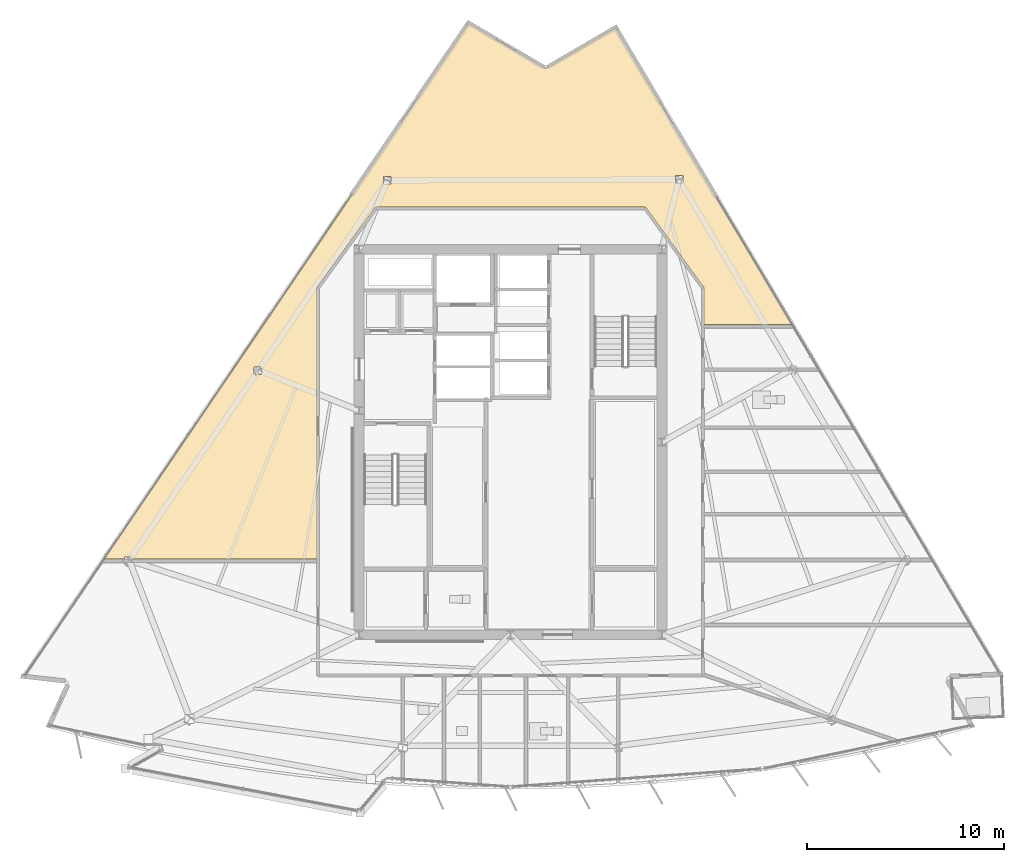
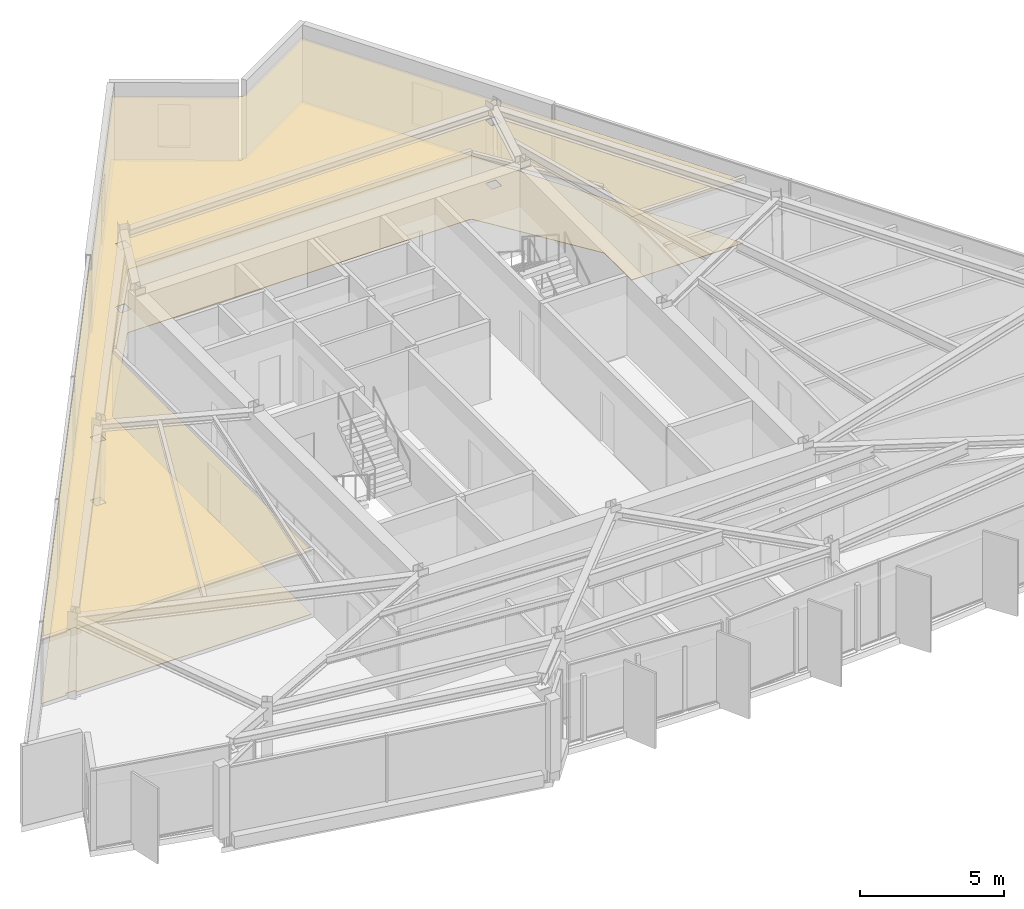
# One storey, part 12 of 14: 2 coverings.
"""IFC4 building model written with IfcOpenShell, lengths in metres."""

from ifc_helpers import new_model, si_unit, direction, frame, origin, place, context, subcontext, project, spatial, polyline, outline, extrude, material, layer, layer_set, type_object, element, save


model = new_model("IFC4")

# Units and contexts
model_context = context("Model", 3, precision=1e-05, world=origin(), true_north=direction((0.0, 1.0)))
body_context = subcontext(model_context, "Body", "Model", "MODEL_VIEW")
ifc_project = project(units=[si_unit("LENGTHUNIT", "METRE"), si_unit("AREAUNIT", "SQUARE_METRE"), si_unit("VOLUMEUNIT", "CUBIC_METRE"), si_unit("PLANEANGLEUNIT", "RADIAN"), si_unit("MASSUNIT", "GRAM", prefix="KILO")], contexts=[model_context])

# Site, building, storey
site_placement = place(None, origin())
site = spatial("IfcSite", under=ifc_project, at=site_placement, CompositionType="ELEMENT")
building_placement = place(site_placement, origin())
building = spatial("IfcBuilding", under=site, at=building_placement, Name="Savorim Split Tower", CompositionType="ELEMENT")
storey_placement = place(building_placement, frame((0.0, 0.0, 227.10009765625)))
storey = spatial("IfcBuildingStorey", under=building, at=storey_placement, Name="L60", CompositionType="ELEMENT", Elevation=227.10009765625)

# Coverings
ifc_material_1 = material(Name="Mineral Fibre Acoustic Ceiling")
ifc_layer_1 = layer(ifc_material_1, 0.02490234375)
ifc_layer_set_1 = layer_set([ifc_layer_1], Name="COV-CEIL-25")
covering_type_1 = type_object("IfcCoveringType", Name="COV-CEIL-25", PredefinedType="CEILING", material=ifc_layer_set_1)
covering_1_placement = place(storey_placement, frame((0.0, 0.0, 2.669921875)))
element("IfcCovering", 1, at=covering_1_placement, inside=storey, type_object=covering_type_1, Name="L60 Co-Working Commons Acoustic Ceiling", PredefinedType="CEILING", context=body_context, shape_type="SweptSolid", body=[
    extrude(outline(polyline([(1.748779296875, 19.415283203125), (1.73828125, 19.419921875), (1.72802734375, 19.425048828125), (-2.13427734375, 21.695068359375), (-20.6728515625, -5.556396484375), (-19.628173828125, -5.556396484375), (-19.628173828125, -5.455322265625), (-19.234130859375, -5.455322265625), (-19.234130859375, -5.556396484375), (-9.840087890625, -5.556396484375), (-9.840087890625, 8.199951171875), (-9.839111328125, 8.214599609375), (-9.8369140625, 8.22900390625), (-9.833251953125, 8.2431640625), (-9.827880859375, 8.2568359375), (-9.8212890625, 8.27001953125), (-9.813232421875, 8.2822265625), (-6.913330078125, 12.2822265625), (-6.905029296875, 12.29248046875), (-6.89599609375, 12.302001953125), (-6.885986328125, 12.310546875), (-6.875, 12.318115234375), (-6.863525390625, 12.32470703125), (-6.8515625, 12.330078125), (-6.839111328125, 12.33447265625), (-6.826416015625, 12.33740234375), (-6.813232421875, 12.33935546875), (-6.800048828125, 12.340087890625), (6.800048828125, 12.340087890625), (6.813232421875, 12.33935546875), (6.826416015625, 12.33740234375), (6.839111328125, 12.33447265625), (6.8515625, 12.330078125), (6.863525390625, 12.32470703125), (6.875, 12.318115234375), (6.885986328125, 12.310546875), (6.89599609375, 12.302001953125), (6.905029296875, 12.29248046875), (6.913330078125, 12.2822265625), (9.813232421875, 8.2822265625), (9.8212890625, 8.27001953125), (9.827880859375, 8.2568359375), (9.833251953125, 8.2431640625), (9.8369140625, 8.22900390625), (9.839111328125, 8.214599609375), (9.840087890625, 8.199951171875), (9.840087890625, 6.367431640625), (14.3193359375, 6.367431640625), (5.343994140625, 21.461669921875), (1.84912109375, 19.4248046875), (1.839111328125, 19.419677734375), (1.828369140625, 19.415283203125), (1.817138671875, 19.412109375), (1.805908203125, 19.409912109375), (1.79443359375, 19.40869140625), (1.78271484375, 19.40869140625), (1.771240234375, 19.409912109375), (1.760009765625, 19.412109375), (1.748779296875, 19.415283203125)]), holes=[polyline([(8.779541015625, 13.947509765625), (8.385498046875, 13.947509765625), (8.385498046875, 13.555419921875), (8.779541015625, 13.555419921875), (8.779541015625, 13.947509765625)]), polyline([(-6.068115234375, 13.898681640625), (-6.4619140625, 13.898681640625), (-6.4619140625, 13.506591796875), (-6.068115234375, 13.506591796875), (-6.068115234375, 13.898681640625)]), polyline([(-13.045166015625, 4.2216796875), (-13.045166015625, 3.82958984375), (-12.651123046875, 3.82958984375), (-12.651123046875, 4.2216796875), (-13.045166015625, 4.2216796875)])]), origin(), (0.0, 0.0, 1.0), 0.02490234375),
])
ifc_material_2 = material(Name="Porcelain Stoneware Flooring", Category="masonry")
ifc_layer_2 = layer(ifc_material_2, 0.02001953125)
ifc_layer_set_2 = layer_set([ifc_layer_2], Name="COV-FLOR-20")
covering_type_2 = type_object("IfcCoveringType", Name="COV-FLOR-20", PredefinedType="FLOORING", material=ifc_layer_set_2)
covering_2_placement = place(storey_placement, origin())
element("IfcCovering", 2, at=covering_2_placement, inside=storey, type_object=covering_type_2, Name="L60 Co-Working Commons Porcelain Flooring", PredefinedType="FLOORING", context=body_context, shape_type="SweptSolid", body=[
    extrude(outline(polyline([(1.748779296875, 19.415283203125), (1.73828125, 19.419921875), (1.72802734375, 19.425048828125), (-2.13427734375, 21.695068359375), (-20.6728515625, -5.556396484375), (-19.628173828125, -5.556396484375), (-19.628173828125, -5.455322265625), (-19.234130859375, -5.455322265625), (-19.234130859375, -5.556396484375), (-9.840087890625, -5.556396484375), (-9.840087890625, 8.199951171875), (-9.839111328125, 8.214599609375), (-9.8369140625, 8.22900390625), (-9.833251953125, 8.2431640625), (-9.827880859375, 8.2568359375), (-9.8212890625, 8.27001953125), (-9.813232421875, 8.2822265625), (-6.913330078125, 12.2822265625), (-6.905029296875, 12.29248046875), (-6.89599609375, 12.302001953125), (-6.885986328125, 12.310546875), (-6.875, 12.318115234375), (-6.863525390625, 12.32470703125), (-6.8515625, 12.330078125), (-6.839111328125, 12.33447265625), (-6.826416015625, 12.33740234375), (-6.813232421875, 12.33935546875), (-6.800048828125, 12.340087890625), (6.800048828125, 12.340087890625), (6.813232421875, 12.33935546875), (6.826416015625, 12.33740234375), (6.839111328125, 12.33447265625), (6.8515625, 12.330078125), (6.863525390625, 12.32470703125), (6.875, 12.318115234375), (6.885986328125, 12.310546875), (6.89599609375, 12.302001953125), (6.905029296875, 12.29248046875), (6.913330078125, 12.2822265625), (9.813232421875, 8.2822265625), (9.8212890625, 8.27001953125), (9.827880859375, 8.2568359375), (9.833251953125, 8.2431640625), (9.8369140625, 8.22900390625), (9.839111328125, 8.214599609375), (9.840087890625, 8.199951171875), (9.840087890625, 6.367431640625), (14.3193359375, 6.367431640625), (5.343994140625, 21.461669921875), (1.84912109375, 19.4248046875), (1.839111328125, 19.419677734375), (1.828369140625, 19.415283203125), (1.817138671875, 19.412109375), (1.805908203125, 19.409912109375), (1.79443359375, 19.40869140625), (1.78271484375, 19.40869140625), (1.771240234375, 19.409912109375), (1.760009765625, 19.412109375), (1.748779296875, 19.415283203125)]), holes=[polyline([(8.779541015625, 13.947509765625), (8.385498046875, 13.947509765625), (8.385498046875, 13.555419921875), (8.779541015625, 13.555419921875), (8.779541015625, 13.947509765625)]), polyline([(-6.068115234375, 13.898681640625), (-6.4619140625, 13.898681640625), (-6.4619140625, 13.506591796875), (-6.068115234375, 13.506591796875), (-6.068115234375, 13.898681640625)]), polyline([(-13.045166015625, 4.2216796875), (-13.045166015625, 3.82958984375), (-12.651123046875, 3.82958984375), (-12.651123046875, 4.2216796875), (-13.045166015625, 4.2216796875)])]), origin(), (0.0, 0.0, 1.0), 0.02001953125),
])

save(model, "model.ifc")
